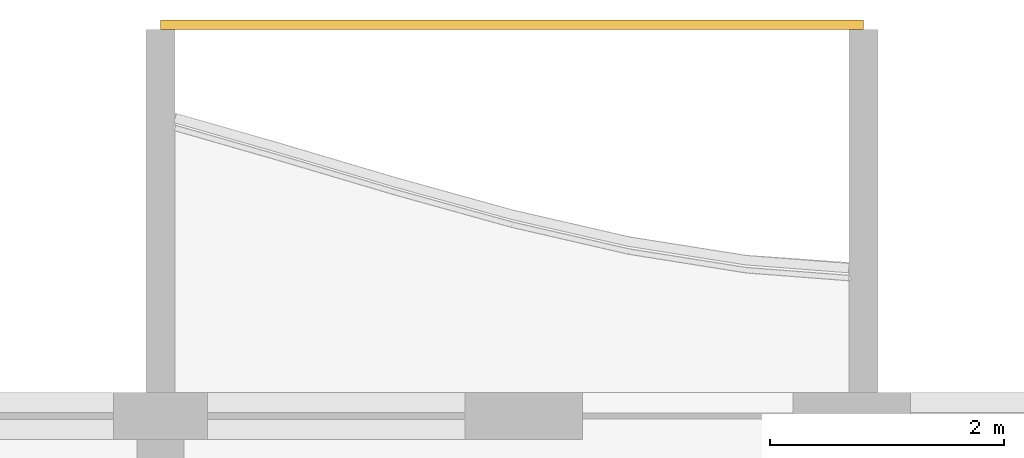
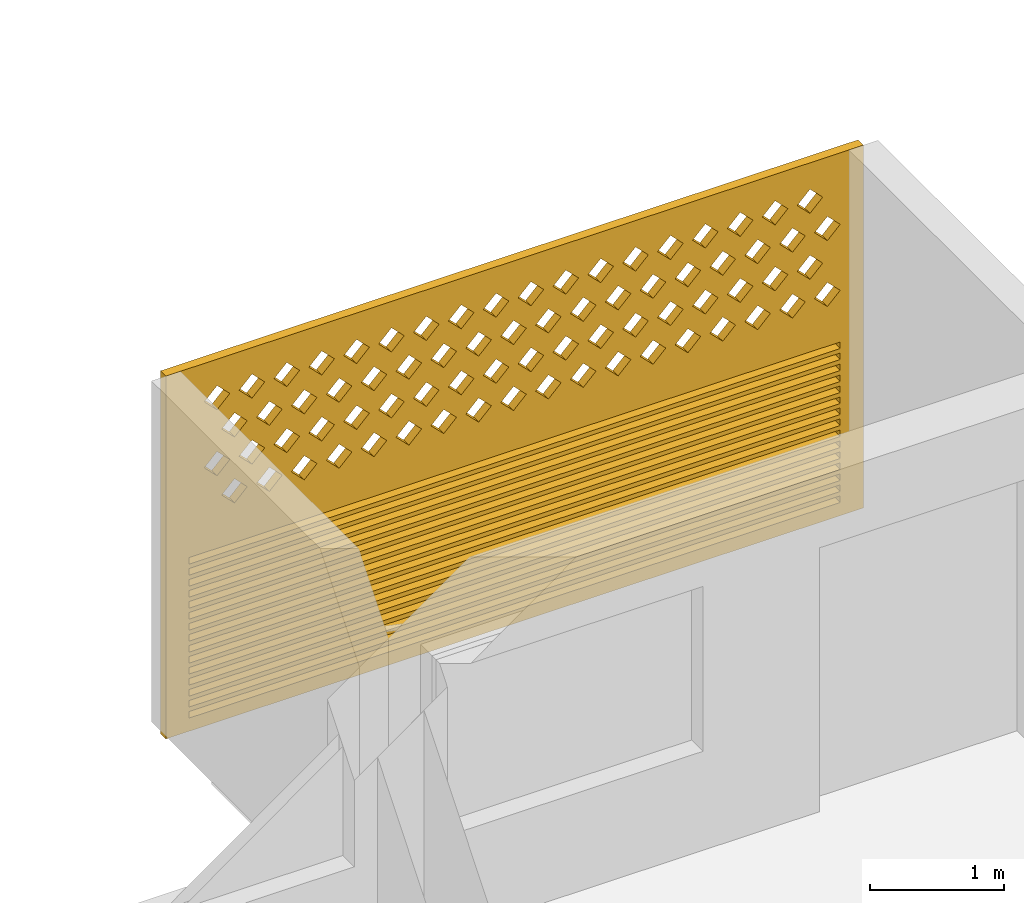
# One storey, part 27 of 40: 1 covering.
"""IFC4 building model written with IfcOpenShell, lengths in metres."""

from ifc_helpers import new_model, si_unit, direction, frame, origin, place, context, subcontext, project, spatial, polyline, outline, extrude, source, transform, mapped, material, material_profile, profile_set, type_object, element, save


model = new_model("IFC4")

# Units and contexts
model_context = context("Model", 3, precision=1e-05, world=origin(), true_north=direction((0.0, 1.0)))
body_context = subcontext(model_context, "Body", "Model", "MODEL_VIEW")
ifc_project = project(units=[si_unit("LENGTHUNIT", "METRE"), si_unit("AREAUNIT", "SQUARE_METRE"), si_unit("VOLUMEUNIT", "CUBIC_METRE"), si_unit("PLANEANGLEUNIT", "RADIAN"), si_unit("MASSUNIT", "GRAM", prefix="KILO")], contexts=[model_context])

# Site, building, storey
site_placement = place(None, origin())
site = spatial("IfcSite", under=ifc_project, at=site_placement, CompositionType="ELEMENT")
building_placement = place(site_placement, origin())
building = spatial("IfcBuilding", under=site, at=building_placement, Name="Poui Terraces", CompositionType="ELEMENT")
storey_placement = place(building_placement, frame((0.0, 0.0, 33.300048828125)))
storey = spatial("IfcBuildingStorey", under=building, at=storey_placement, Name="L08", CompositionType="ELEMENT", Elevation=33.300048828125)

# Covering
ifc_material = material(Name="Terracotta screen", Category="masonry")
ifc_material_profile = material_profile(ifc_material, outline(polyline([(-3.0, -1.64990234375), (3.0, -1.64990234375), (3.0, 1.64990234375), (-3.0, 1.64990234375), (-3.0, -1.64990234375)]), holes=[polyline([(-2.800048828125, 0.39990234375), (-2.68994140625, 0.2900390625), (-2.580078125, 0.39990234375), (-2.68994140625, 0.510009765625), (-2.800048828125, 0.39990234375)]), polyline([(-2.5, 0.39990234375), (-2.389892578125, 0.2900390625), (-2.280029296875, 0.39990234375), (-2.389892578125, 0.510009765625), (-2.5, 0.39990234375)]), polyline([(-2.199951171875, 0.39990234375), (-2.090087890625, 0.2900390625), (-1.97998046875, 0.39990234375), (-2.090087890625, 0.510009765625), (-2.199951171875, 0.39990234375)]), polyline([(-1.89990234375, 0.39990234375), (-1.7900390625, 0.2900390625), (-1.679931640625, 0.39990234375), (-1.7900390625, 0.510009765625), (-1.89990234375, 0.39990234375)]), polyline([(-1.60009765625, 0.39990234375), (-1.489990234375, 0.2900390625), (-1.3798828125, 0.39990234375), (-1.489990234375, 0.510009765625), (-1.60009765625, 0.39990234375)]), polyline([(-1.300048828125, 0.39990234375), (-1.18994140625, 0.2900390625), (-1.080078125, 0.39990234375), (-1.18994140625, 0.510009765625), (-1.300048828125, 0.39990234375)]), polyline([(-1.0, 0.39990234375), (-0.889892578125, 0.2900390625), (-0.780029296875, 0.39990234375), (-0.889892578125, 0.510009765625), (-1.0, 0.39990234375)]), polyline([(-0.699951171875, 0.39990234375), (-0.590087890625, 0.2900390625), (-0.47998046875, 0.39990234375), (-0.590087890625, 0.510009765625), (-0.699951171875, 0.39990234375)]), polyline([(-0.39990234375, 0.39990234375), (-0.2900390625, 0.2900390625), (-0.179931640625, 0.39990234375), (-0.2900390625, 0.510009765625), (-0.39990234375, 0.39990234375)]), polyline([(-0.10009765625, 0.39990234375), (0.010009765625, 0.2900390625), (0.1201171875, 0.39990234375), (0.010009765625, 0.510009765625), (-0.10009765625, 0.39990234375)]), polyline([(0.199951171875, 0.39990234375), (0.31005859375, 0.2900390625), (0.419921875, 0.39990234375), (0.31005859375, 0.510009765625), (0.199951171875, 0.39990234375)]), polyline([(0.5, 0.39990234375), (0.610107421875, 0.2900390625), (0.719970703125, 0.39990234375), (0.610107421875, 0.510009765625), (0.5, 0.39990234375)]), polyline([(0.800048828125, 0.39990234375), (0.909912109375, 0.2900390625), (1.02001953125, 0.39990234375), (0.909912109375, 0.510009765625), (0.800048828125, 0.39990234375)]), polyline([(1.10009765625, 0.39990234375), (1.2099609375, 0.2900390625), (1.320068359375, 0.39990234375), (1.2099609375, 0.510009765625), (1.10009765625, 0.39990234375)]), polyline([(1.39990234375, 0.39990234375), (1.510009765625, 0.2900390625), (1.6201171875, 0.39990234375), (1.510009765625, 0.510009765625), (1.39990234375, 0.39990234375)]), polyline([(1.699951171875, 0.39990234375), (1.81005859375, 0.2900390625), (1.919921875, 0.39990234375), (1.81005859375, 0.510009765625), (1.699951171875, 0.39990234375)]), polyline([(2.0, 0.39990234375), (2.110107421875, 0.2900390625), (2.219970703125, 0.39990234375), (2.110107421875, 0.510009765625), (2.0, 0.39990234375)]), polyline([(2.300048828125, 0.39990234375), (2.409912109375, 0.2900390625), (2.52001953125, 0.39990234375), (2.409912109375, 0.510009765625), (2.300048828125, 0.39990234375)]), polyline([(-2.64990234375, 0.699951171875), (-2.5400390625, 0.590087890625), (-2.429931640625, 0.699951171875), (-2.5400390625, 0.81005859375), (-2.64990234375, 0.699951171875)]), polyline([(-2.35009765625, 0.699951171875), (-2.239990234375, 0.590087890625), (-2.1298828125, 0.699951171875), (-2.239990234375, 0.81005859375), (-2.35009765625, 0.699951171875)]), polyline([(-2.050048828125, 0.699951171875), (-1.93994140625, 0.590087890625), (-1.830078125, 0.699951171875), (-1.93994140625, 0.81005859375), (-2.050048828125, 0.699951171875)]), polyline([(-1.75, 0.699951171875), (-1.639892578125, 0.590087890625), (-1.530029296875, 0.699951171875), (-1.639892578125, 0.81005859375), (-1.75, 0.699951171875)]), polyline([(-1.449951171875, 0.699951171875), (-1.340087890625, 0.590087890625), (-1.22998046875, 0.699951171875), (-1.340087890625, 0.81005859375), (-1.449951171875, 0.699951171875)]), polyline([(-1.14990234375, 0.699951171875), (-1.0400390625, 0.590087890625), (-0.929931640625, 0.699951171875), (-1.0400390625, 0.81005859375), (-1.14990234375, 0.699951171875)]), polyline([(-0.85009765625, 0.699951171875), (-0.739990234375, 0.590087890625), (-0.6298828125, 0.699951171875), (-0.739990234375, 0.81005859375), (-0.85009765625, 0.699951171875)]), polyline([(-0.550048828125, 0.699951171875), (-0.43994140625, 0.590087890625), (-0.330078125, 0.699951171875), (-0.43994140625, 0.81005859375), (-0.550048828125, 0.699951171875)]), polyline([(-0.25, 0.699951171875), (-0.139892578125, 0.590087890625), (-0.030029296875, 0.699951171875), (-0.139892578125, 0.81005859375), (-0.25, 0.699951171875)]), polyline([(0.050048828125, 0.699951171875), (0.159912109375, 0.590087890625), (0.27001953125, 0.699951171875), (0.159912109375, 0.81005859375), (0.050048828125, 0.699951171875)]), polyline([(0.35009765625, 0.699951171875), (0.4599609375, 0.590087890625), (0.570068359375, 0.699951171875), (0.4599609375, 0.81005859375), (0.35009765625, 0.699951171875)]), polyline([(0.64990234375, 0.699951171875), (0.760009765625, 0.590087890625), (0.8701171875, 0.699951171875), (0.760009765625, 0.81005859375), (0.64990234375, 0.699951171875)]), polyline([(0.949951171875, 0.699951171875), (1.06005859375, 0.590087890625), (1.169921875, 0.699951171875), (1.06005859375, 0.81005859375), (0.949951171875, 0.699951171875)]), polyline([(1.25, 0.699951171875), (1.360107421875, 0.590087890625), (1.469970703125, 0.699951171875), (1.360107421875, 0.81005859375), (1.25, 0.699951171875)]), polyline([(1.550048828125, 0.699951171875), (1.659912109375, 0.590087890625), (1.77001953125, 0.699951171875), (1.659912109375, 0.81005859375), (1.550048828125, 0.699951171875)]), polyline([(1.85009765625, 0.699951171875), (1.9599609375, 0.590087890625), (2.070068359375, 0.699951171875), (1.9599609375, 0.81005859375), (1.85009765625, 0.699951171875)]), polyline([(2.14990234375, 0.699951171875), (2.260009765625, 0.590087890625), (2.3701171875, 0.699951171875), (2.260009765625, 0.81005859375), (2.14990234375, 0.699951171875)]), polyline([(2.449951171875, 0.699951171875), (2.56005859375, 0.590087890625), (2.669921875, 0.699951171875), (2.56005859375, 0.81005859375), (2.449951171875, 0.699951171875)]), polyline([(-2.800048828125, 1.0), (-2.68994140625, 0.889892578125), (-2.580078125, 1.0), (-2.68994140625, 1.110107421875), (-2.800048828125, 1.0)]), polyline([(-2.5, 1.0), (-2.389892578125, 0.889892578125), (-2.280029296875, 1.0), (-2.389892578125, 1.110107421875), (-2.5, 1.0)]), polyline([(-2.199951171875, 1.0), (-2.090087890625, 0.889892578125), (-1.97998046875, 1.0), (-2.090087890625, 1.110107421875), (-2.199951171875, 1.0)]), polyline([(-1.89990234375, 1.0), (-1.7900390625, 0.889892578125), (-1.679931640625, 1.0), (-1.7900390625, 1.110107421875), (-1.89990234375, 1.0)]), polyline([(-1.60009765625, 1.0), (-1.489990234375, 0.889892578125), (-1.3798828125, 1.0), (-1.489990234375, 1.110107421875), (-1.60009765625, 1.0)]), polyline([(-1.300048828125, 1.0), (-1.18994140625, 0.889892578125), (-1.080078125, 1.0), (-1.18994140625, 1.110107421875), (-1.300048828125, 1.0)]), polyline([(-1.0, 1.0), (-0.889892578125, 0.889892578125), (-0.780029296875, 1.0), (-0.889892578125, 1.110107421875), (-1.0, 1.0)]), polyline([(-0.699951171875, 1.0), (-0.590087890625, 0.889892578125), (-0.47998046875, 1.0), (-0.590087890625, 1.110107421875), (-0.699951171875, 1.0)]), polyline([(-0.39990234375, 1.0), (-0.2900390625, 0.889892578125), (-0.179931640625, 1.0), (-0.2900390625, 1.110107421875), (-0.39990234375, 1.0)]), polyline([(-0.10009765625, 1.0), (0.010009765625, 0.889892578125), (0.1201171875, 1.0), (0.010009765625, 1.110107421875), (-0.10009765625, 1.0)]), polyline([(0.199951171875, 1.0), (0.31005859375, 0.889892578125), (0.419921875, 1.0), (0.31005859375, 1.110107421875), (0.199951171875, 1.0)]), polyline([(0.5, 1.0), (0.610107421875, 0.889892578125), (0.719970703125, 1.0), (0.610107421875, 1.110107421875), (0.5, 1.0)]), polyline([(0.800048828125, 1.0), (0.909912109375, 0.889892578125), (1.02001953125, 1.0), (0.909912109375, 1.110107421875), (0.800048828125, 1.0)]), polyline([(1.10009765625, 1.0), (1.2099609375, 0.889892578125), (1.320068359375, 1.0), (1.2099609375, 1.110107421875), (1.10009765625, 1.0)]), polyline([(1.39990234375, 1.0), (1.510009765625, 0.889892578125), (1.6201171875, 1.0), (1.510009765625, 1.110107421875), (1.39990234375, 1.0)]), polyline([(1.699951171875, 1.0), (1.81005859375, 0.889892578125), (1.919921875, 1.0), (1.81005859375, 1.110107421875), (1.699951171875, 1.0)]), polyline([(2.0, 1.0), (2.110107421875, 0.889892578125), (2.219970703125, 1.0), (2.110107421875, 1.110107421875), (2.0, 1.0)]), polyline([(2.300048828125, 1.0), (2.409912109375, 0.889892578125), (2.52001953125, 1.0), (2.409912109375, 1.110107421875), (2.300048828125, 1.0)]), polyline([(-2.64990234375, 1.300048828125), (-2.5400390625, 1.18994140625), (-2.429931640625, 1.300048828125), (-2.5400390625, 1.409912109375), (-2.64990234375, 1.300048828125)]), polyline([(-2.35009765625, 1.300048828125), (-2.239990234375, 1.18994140625), (-2.1298828125, 1.300048828125), (-2.239990234375, 1.409912109375), (-2.35009765625, 1.300048828125)]), polyline([(-2.050048828125, 1.300048828125), (-1.93994140625, 1.18994140625), (-1.830078125, 1.300048828125), (-1.93994140625, 1.409912109375), (-2.050048828125, 1.300048828125)]), polyline([(-1.75, 1.300048828125), (-1.639892578125, 1.18994140625), (-1.530029296875, 1.300048828125), (-1.639892578125, 1.409912109375), (-1.75, 1.300048828125)]), polyline([(-1.449951171875, 1.300048828125), (-1.340087890625, 1.18994140625), (-1.22998046875, 1.300048828125), (-1.340087890625, 1.409912109375), (-1.449951171875, 1.300048828125)]), polyline([(-1.14990234375, 1.300048828125), (-1.0400390625, 1.18994140625), (-0.929931640625, 1.300048828125), (-1.0400390625, 1.409912109375), (-1.14990234375, 1.300048828125)]), polyline([(-0.85009765625, 1.300048828125), (-0.739990234375, 1.18994140625), (-0.6298828125, 1.300048828125), (-0.739990234375, 1.409912109375), (-0.85009765625, 1.300048828125)]), polyline([(-0.550048828125, 1.300048828125), (-0.43994140625, 1.18994140625), (-0.330078125, 1.300048828125), (-0.43994140625, 1.409912109375), (-0.550048828125, 1.300048828125)]), polyline([(-0.25, 1.300048828125), (-0.139892578125, 1.18994140625), (-0.030029296875, 1.300048828125), (-0.139892578125, 1.409912109375), (-0.25, 1.300048828125)]), polyline([(0.050048828125, 1.300048828125), (0.159912109375, 1.18994140625), (0.27001953125, 1.300048828125), (0.159912109375, 1.409912109375), (0.050048828125, 1.300048828125)]), polyline([(0.35009765625, 1.300048828125), (0.4599609375, 1.18994140625), (0.570068359375, 1.300048828125), (0.4599609375, 1.409912109375), (0.35009765625, 1.300048828125)]), polyline([(0.64990234375, 1.300048828125), (0.760009765625, 1.18994140625), (0.8701171875, 1.300048828125), (0.760009765625, 1.409912109375), (0.64990234375, 1.300048828125)]), polyline([(0.949951171875, 1.300048828125), (1.06005859375, 1.18994140625), (1.169921875, 1.300048828125), (1.06005859375, 1.409912109375), (0.949951171875, 1.300048828125)]), polyline([(1.25, 1.300048828125), (1.360107421875, 1.18994140625), (1.469970703125, 1.300048828125), (1.360107421875, 1.409912109375), (1.25, 1.300048828125)]), polyline([(1.550048828125, 1.300048828125), (1.659912109375, 1.18994140625), (1.77001953125, 1.300048828125), (1.659912109375, 1.409912109375), (1.550048828125, 1.300048828125)]), polyline([(1.85009765625, 1.300048828125), (1.9599609375, 1.18994140625), (2.070068359375, 1.300048828125), (1.9599609375, 1.409912109375), (1.85009765625, 1.300048828125)]), polyline([(2.14990234375, 1.300048828125), (2.260009765625, 1.18994140625), (2.3701171875, 1.300048828125), (2.260009765625, 1.409912109375), (2.14990234375, 1.300048828125)]), polyline([(2.449951171875, 1.300048828125), (2.56005859375, 1.18994140625), (2.669921875, 1.300048828125), (2.56005859375, 1.409912109375), (2.449951171875, 1.300048828125)]), polyline([(-2.800048828125, -1.530029296875), (2.800048828125, -1.530029296875), (2.800048828125, -1.469970703125), (-2.800048828125, -1.469970703125), (-2.800048828125, -1.530029296875)]), polyline([(-2.800048828125, -1.429931640625), (2.800048828125, -1.429931640625), (2.800048828125, -1.3701171875), (-2.800048828125, -1.3701171875), (-2.800048828125, -1.429931640625)]), polyline([(-2.800048828125, -1.330078125), (2.800048828125, -1.330078125), (2.800048828125, -1.27001953125), (-2.800048828125, -1.27001953125), (-2.800048828125, -1.330078125)]), polyline([(-2.800048828125, -1.22998046875), (2.800048828125, -1.22998046875), (2.800048828125, -1.169921875), (-2.800048828125, -1.169921875), (-2.800048828125, -1.22998046875)]), polyline([(-2.800048828125, -1.1298828125), (2.800048828125, -1.1298828125), (2.800048828125, -1.070068359375), (-2.800048828125, -1.070068359375), (-2.800048828125, -1.1298828125)]), polyline([(-2.800048828125, -1.030029296875), (2.800048828125, -1.030029296875), (2.800048828125, -0.969970703125), (-2.800048828125, -0.969970703125), (-2.800048828125, -1.030029296875)]), polyline([(-2.800048828125, -0.929931640625), (2.800048828125, -0.929931640625), (2.800048828125, -0.8701171875), (-2.800048828125, -0.8701171875), (-2.800048828125, -0.929931640625)]), polyline([(-2.800048828125, -0.830078125), (2.800048828125, -0.830078125), (2.800048828125, -0.77001953125), (-2.800048828125, -0.77001953125), (-2.800048828125, -0.830078125)]), polyline([(-2.800048828125, -0.72998046875), (2.800048828125, -0.72998046875), (2.800048828125, -0.669921875), (-2.800048828125, -0.669921875), (-2.800048828125, -0.72998046875)]), polyline([(-2.800048828125, -0.6298828125), (2.800048828125, -0.6298828125), (2.800048828125, -0.570068359375), (-2.800048828125, -0.570068359375), (-2.800048828125, -0.6298828125)]), polyline([(-2.800048828125, -0.530029296875), (2.800048828125, -0.530029296875), (2.800048828125, -0.469970703125), (-2.800048828125, -0.469970703125), (-2.800048828125, -0.530029296875)]), polyline([(-2.800048828125, -0.429931640625), (2.800048828125, -0.429931640625), (2.800048828125, -0.3701171875), (-2.800048828125, -0.3701171875), (-2.800048828125, -0.429931640625)]), polyline([(-2.800048828125, -0.330078125), (2.800048828125, -0.330078125), (2.800048828125, -0.27001953125), (-2.800048828125, -0.27001953125), (-2.800048828125, -0.330078125)]), polyline([(-2.800048828125, -0.22998046875), (2.800048828125, -0.22998046875), (2.800048828125, -0.169921875), (-2.800048828125, -0.169921875), (-2.800048828125, -0.22998046875)]), polyline([(-2.800048828125, -0.1298828125), (2.800048828125, -0.1298828125), (2.800048828125, -0.070068359375), (-2.800048828125, -0.070068359375), (-2.800048828125, -0.1298828125)])]), Name="TERRACOTTA SCREEN AND JALOUSIE LOUVRE 6000X3300")
ifc_profile_set = profile_set([ifc_material_profile], Name="Terracotta screen")
covering_type = type_object("IfcCoveringType", Name="TERRACOTTA SCREEN AND JALOUSIE LOUVRE 6000X3300", PredefinedType="CLADDING", material=ifc_profile_set)
shared_shape = source(origin(), body_context, "Body", "SweptSolid", [
    extrude(outline(polyline([(-3.0, -1.64990234375), (3.0, -1.64990234375), (3.0, 1.64990234375), (-3.0, 1.64990234375), (-3.0, -1.64990234375)]), holes=[polyline([(-2.800048828125, 0.39990234375), (-2.68994140625, 0.2900390625), (-2.580078125, 0.39990234375), (-2.68994140625, 0.510009765625), (-2.800048828125, 0.39990234375)]), polyline([(-2.5, 0.39990234375), (-2.389892578125, 0.2900390625), (-2.280029296875, 0.39990234375), (-2.389892578125, 0.510009765625), (-2.5, 0.39990234375)]), polyline([(-2.199951171875, 0.39990234375), (-2.090087890625, 0.2900390625), (-1.97998046875, 0.39990234375), (-2.090087890625, 0.510009765625), (-2.199951171875, 0.39990234375)]), polyline([(-1.89990234375, 0.39990234375), (-1.7900390625, 0.2900390625), (-1.679931640625, 0.39990234375), (-1.7900390625, 0.510009765625), (-1.89990234375, 0.39990234375)]), polyline([(-1.60009765625, 0.39990234375), (-1.489990234375, 0.2900390625), (-1.3798828125, 0.39990234375), (-1.489990234375, 0.510009765625), (-1.60009765625, 0.39990234375)]), polyline([(-1.300048828125, 0.39990234375), (-1.18994140625, 0.2900390625), (-1.080078125, 0.39990234375), (-1.18994140625, 0.510009765625), (-1.300048828125, 0.39990234375)]), polyline([(-1.0, 0.39990234375), (-0.889892578125, 0.2900390625), (-0.780029296875, 0.39990234375), (-0.889892578125, 0.510009765625), (-1.0, 0.39990234375)]), polyline([(-0.699951171875, 0.39990234375), (-0.590087890625, 0.2900390625), (-0.47998046875, 0.39990234375), (-0.590087890625, 0.510009765625), (-0.699951171875, 0.39990234375)]), polyline([(-0.39990234375, 0.39990234375), (-0.2900390625, 0.2900390625), (-0.179931640625, 0.39990234375), (-0.2900390625, 0.510009765625), (-0.39990234375, 0.39990234375)]), polyline([(-0.10009765625, 0.39990234375), (0.010009765625, 0.2900390625), (0.1201171875, 0.39990234375), (0.010009765625, 0.510009765625), (-0.10009765625, 0.39990234375)]), polyline([(0.199951171875, 0.39990234375), (0.31005859375, 0.2900390625), (0.419921875, 0.39990234375), (0.31005859375, 0.510009765625), (0.199951171875, 0.39990234375)]), polyline([(0.5, 0.39990234375), (0.610107421875, 0.2900390625), (0.719970703125, 0.39990234375), (0.610107421875, 0.510009765625), (0.5, 0.39990234375)]), polyline([(0.800048828125, 0.39990234375), (0.909912109375, 0.2900390625), (1.02001953125, 0.39990234375), (0.909912109375, 0.510009765625), (0.800048828125, 0.39990234375)]), polyline([(1.10009765625, 0.39990234375), (1.2099609375, 0.2900390625), (1.320068359375, 0.39990234375), (1.2099609375, 0.510009765625), (1.10009765625, 0.39990234375)]), polyline([(1.39990234375, 0.39990234375), (1.510009765625, 0.2900390625), (1.6201171875, 0.39990234375), (1.510009765625, 0.510009765625), (1.39990234375, 0.39990234375)]), polyline([(1.699951171875, 0.39990234375), (1.81005859375, 0.2900390625), (1.919921875, 0.39990234375), (1.81005859375, 0.510009765625), (1.699951171875, 0.39990234375)]), polyline([(2.0, 0.39990234375), (2.110107421875, 0.2900390625), (2.219970703125, 0.39990234375), (2.110107421875, 0.510009765625), (2.0, 0.39990234375)]), polyline([(2.300048828125, 0.39990234375), (2.409912109375, 0.2900390625), (2.52001953125, 0.39990234375), (2.409912109375, 0.510009765625), (2.300048828125, 0.39990234375)]), polyline([(-2.64990234375, 0.699951171875), (-2.5400390625, 0.590087890625), (-2.429931640625, 0.699951171875), (-2.5400390625, 0.81005859375), (-2.64990234375, 0.699951171875)]), polyline([(-2.35009765625, 0.699951171875), (-2.239990234375, 0.590087890625), (-2.1298828125, 0.699951171875), (-2.239990234375, 0.81005859375), (-2.35009765625, 0.699951171875)]), polyline([(-2.050048828125, 0.699951171875), (-1.93994140625, 0.590087890625), (-1.830078125, 0.699951171875), (-1.93994140625, 0.81005859375), (-2.050048828125, 0.699951171875)]), polyline([(-1.75, 0.699951171875), (-1.639892578125, 0.590087890625), (-1.530029296875, 0.699951171875), (-1.639892578125, 0.81005859375), (-1.75, 0.699951171875)]), polyline([(-1.449951171875, 0.699951171875), (-1.340087890625, 0.590087890625), (-1.22998046875, 0.699951171875), (-1.340087890625, 0.81005859375), (-1.449951171875, 0.699951171875)]), polyline([(-1.14990234375, 0.699951171875), (-1.0400390625, 0.590087890625), (-0.929931640625, 0.699951171875), (-1.0400390625, 0.81005859375), (-1.14990234375, 0.699951171875)]), polyline([(-0.85009765625, 0.699951171875), (-0.739990234375, 0.590087890625), (-0.6298828125, 0.699951171875), (-0.739990234375, 0.81005859375), (-0.85009765625, 0.699951171875)]), polyline([(-0.550048828125, 0.699951171875), (-0.43994140625, 0.590087890625), (-0.330078125, 0.699951171875), (-0.43994140625, 0.81005859375), (-0.550048828125, 0.699951171875)]), polyline([(-0.25, 0.699951171875), (-0.139892578125, 0.590087890625), (-0.030029296875, 0.699951171875), (-0.139892578125, 0.81005859375), (-0.25, 0.699951171875)]), polyline([(0.050048828125, 0.699951171875), (0.159912109375, 0.590087890625), (0.27001953125, 0.699951171875), (0.159912109375, 0.81005859375), (0.050048828125, 0.699951171875)]), polyline([(0.35009765625, 0.699951171875), (0.4599609375, 0.590087890625), (0.570068359375, 0.699951171875), (0.4599609375, 0.81005859375), (0.35009765625, 0.699951171875)]), polyline([(0.64990234375, 0.699951171875), (0.760009765625, 0.590087890625), (0.8701171875, 0.699951171875), (0.760009765625, 0.81005859375), (0.64990234375, 0.699951171875)]), polyline([(0.949951171875, 0.699951171875), (1.06005859375, 0.590087890625), (1.169921875, 0.699951171875), (1.06005859375, 0.81005859375), (0.949951171875, 0.699951171875)]), polyline([(1.25, 0.699951171875), (1.360107421875, 0.590087890625), (1.469970703125, 0.699951171875), (1.360107421875, 0.81005859375), (1.25, 0.699951171875)]), polyline([(1.550048828125, 0.699951171875), (1.659912109375, 0.590087890625), (1.77001953125, 0.699951171875), (1.659912109375, 0.81005859375), (1.550048828125, 0.699951171875)]), polyline([(1.85009765625, 0.699951171875), (1.9599609375, 0.590087890625), (2.070068359375, 0.699951171875), (1.9599609375, 0.81005859375), (1.85009765625, 0.699951171875)]), polyline([(2.14990234375, 0.699951171875), (2.260009765625, 0.590087890625), (2.3701171875, 0.699951171875), (2.260009765625, 0.81005859375), (2.14990234375, 0.699951171875)]), polyline([(2.449951171875, 0.699951171875), (2.56005859375, 0.590087890625), (2.669921875, 0.699951171875), (2.56005859375, 0.81005859375), (2.449951171875, 0.699951171875)]), polyline([(-2.800048828125, 1.0), (-2.68994140625, 0.889892578125), (-2.580078125, 1.0), (-2.68994140625, 1.110107421875), (-2.800048828125, 1.0)]), polyline([(-2.5, 1.0), (-2.389892578125, 0.889892578125), (-2.280029296875, 1.0), (-2.389892578125, 1.110107421875), (-2.5, 1.0)]), polyline([(-2.199951171875, 1.0), (-2.090087890625, 0.889892578125), (-1.97998046875, 1.0), (-2.090087890625, 1.110107421875), (-2.199951171875, 1.0)]), polyline([(-1.89990234375, 1.0), (-1.7900390625, 0.889892578125), (-1.679931640625, 1.0), (-1.7900390625, 1.110107421875), (-1.89990234375, 1.0)]), polyline([(-1.60009765625, 1.0), (-1.489990234375, 0.889892578125), (-1.3798828125, 1.0), (-1.489990234375, 1.110107421875), (-1.60009765625, 1.0)]), polyline([(-1.300048828125, 1.0), (-1.18994140625, 0.889892578125), (-1.080078125, 1.0), (-1.18994140625, 1.110107421875), (-1.300048828125, 1.0)]), polyline([(-1.0, 1.0), (-0.889892578125, 0.889892578125), (-0.780029296875, 1.0), (-0.889892578125, 1.110107421875), (-1.0, 1.0)]), polyline([(-0.699951171875, 1.0), (-0.590087890625, 0.889892578125), (-0.47998046875, 1.0), (-0.590087890625, 1.110107421875), (-0.699951171875, 1.0)]), polyline([(-0.39990234375, 1.0), (-0.2900390625, 0.889892578125), (-0.179931640625, 1.0), (-0.2900390625, 1.110107421875), (-0.39990234375, 1.0)]), polyline([(-0.10009765625, 1.0), (0.010009765625, 0.889892578125), (0.1201171875, 1.0), (0.010009765625, 1.110107421875), (-0.10009765625, 1.0)]), polyline([(0.199951171875, 1.0), (0.31005859375, 0.889892578125), (0.419921875, 1.0), (0.31005859375, 1.110107421875), (0.199951171875, 1.0)]), polyline([(0.5, 1.0), (0.610107421875, 0.889892578125), (0.719970703125, 1.0), (0.610107421875, 1.110107421875), (0.5, 1.0)]), polyline([(0.800048828125, 1.0), (0.909912109375, 0.889892578125), (1.02001953125, 1.0), (0.909912109375, 1.110107421875), (0.800048828125, 1.0)]), polyline([(1.10009765625, 1.0), (1.2099609375, 0.889892578125), (1.320068359375, 1.0), (1.2099609375, 1.110107421875), (1.10009765625, 1.0)]), polyline([(1.39990234375, 1.0), (1.510009765625, 0.889892578125), (1.6201171875, 1.0), (1.510009765625, 1.110107421875), (1.39990234375, 1.0)]), polyline([(1.699951171875, 1.0), (1.81005859375, 0.889892578125), (1.919921875, 1.0), (1.81005859375, 1.110107421875), (1.699951171875, 1.0)]), polyline([(2.0, 1.0), (2.110107421875, 0.889892578125), (2.219970703125, 1.0), (2.110107421875, 1.110107421875), (2.0, 1.0)]), polyline([(2.300048828125, 1.0), (2.409912109375, 0.889892578125), (2.52001953125, 1.0), (2.409912109375, 1.110107421875), (2.300048828125, 1.0)]), polyline([(-2.64990234375, 1.300048828125), (-2.5400390625, 1.18994140625), (-2.429931640625, 1.300048828125), (-2.5400390625, 1.409912109375), (-2.64990234375, 1.300048828125)]), polyline([(-2.35009765625, 1.300048828125), (-2.239990234375, 1.18994140625), (-2.1298828125, 1.300048828125), (-2.239990234375, 1.409912109375), (-2.35009765625, 1.300048828125)]), polyline([(-2.050048828125, 1.300048828125), (-1.93994140625, 1.18994140625), (-1.830078125, 1.300048828125), (-1.93994140625, 1.409912109375), (-2.050048828125, 1.300048828125)]), polyline([(-1.75, 1.300048828125), (-1.639892578125, 1.18994140625), (-1.530029296875, 1.300048828125), (-1.639892578125, 1.409912109375), (-1.75, 1.300048828125)]), polyline([(-1.449951171875, 1.300048828125), (-1.340087890625, 1.18994140625), (-1.22998046875, 1.300048828125), (-1.340087890625, 1.409912109375), (-1.449951171875, 1.300048828125)]), polyline([(-1.14990234375, 1.300048828125), (-1.0400390625, 1.18994140625), (-0.929931640625, 1.300048828125), (-1.0400390625, 1.409912109375), (-1.14990234375, 1.300048828125)]), polyline([(-0.85009765625, 1.300048828125), (-0.739990234375, 1.18994140625), (-0.6298828125, 1.300048828125), (-0.739990234375, 1.409912109375), (-0.85009765625, 1.300048828125)]), polyline([(-0.550048828125, 1.300048828125), (-0.43994140625, 1.18994140625), (-0.330078125, 1.300048828125), (-0.43994140625, 1.409912109375), (-0.550048828125, 1.300048828125)]), polyline([(-0.25, 1.300048828125), (-0.139892578125, 1.18994140625), (-0.030029296875, 1.300048828125), (-0.139892578125, 1.409912109375), (-0.25, 1.300048828125)]), polyline([(0.050048828125, 1.300048828125), (0.159912109375, 1.18994140625), (0.27001953125, 1.300048828125), (0.159912109375, 1.409912109375), (0.050048828125, 1.300048828125)]), polyline([(0.35009765625, 1.300048828125), (0.4599609375, 1.18994140625), (0.570068359375, 1.300048828125), (0.4599609375, 1.409912109375), (0.35009765625, 1.300048828125)]), polyline([(0.64990234375, 1.300048828125), (0.760009765625, 1.18994140625), (0.8701171875, 1.300048828125), (0.760009765625, 1.409912109375), (0.64990234375, 1.300048828125)]), polyline([(0.949951171875, 1.300048828125), (1.06005859375, 1.18994140625), (1.169921875, 1.300048828125), (1.06005859375, 1.409912109375), (0.949951171875, 1.300048828125)]), polyline([(1.25, 1.300048828125), (1.360107421875, 1.18994140625), (1.469970703125, 1.300048828125), (1.360107421875, 1.409912109375), (1.25, 1.300048828125)]), polyline([(1.550048828125, 1.300048828125), (1.659912109375, 1.18994140625), (1.77001953125, 1.300048828125), (1.659912109375, 1.409912109375), (1.550048828125, 1.300048828125)]), polyline([(1.85009765625, 1.300048828125), (1.9599609375, 1.18994140625), (2.070068359375, 1.300048828125), (1.9599609375, 1.409912109375), (1.85009765625, 1.300048828125)]), polyline([(2.14990234375, 1.300048828125), (2.260009765625, 1.18994140625), (2.3701171875, 1.300048828125), (2.260009765625, 1.409912109375), (2.14990234375, 1.300048828125)]), polyline([(2.449951171875, 1.300048828125), (2.56005859375, 1.18994140625), (2.669921875, 1.300048828125), (2.56005859375, 1.409912109375), (2.449951171875, 1.300048828125)]), polyline([(-2.800048828125, -1.530029296875), (2.800048828125, -1.530029296875), (2.800048828125, -1.469970703125), (-2.800048828125, -1.469970703125), (-2.800048828125, -1.530029296875)]), polyline([(-2.800048828125, -1.429931640625), (2.800048828125, -1.429931640625), (2.800048828125, -1.3701171875), (-2.800048828125, -1.3701171875), (-2.800048828125, -1.429931640625)]), polyline([(-2.800048828125, -1.330078125), (2.800048828125, -1.330078125), (2.800048828125, -1.27001953125), (-2.800048828125, -1.27001953125), (-2.800048828125, -1.330078125)]), polyline([(-2.800048828125, -1.22998046875), (2.800048828125, -1.22998046875), (2.800048828125, -1.169921875), (-2.800048828125, -1.169921875), (-2.800048828125, -1.22998046875)]), polyline([(-2.800048828125, -1.1298828125), (2.800048828125, -1.1298828125), (2.800048828125, -1.070068359375), (-2.800048828125, -1.070068359375), (-2.800048828125, -1.1298828125)]), polyline([(-2.800048828125, -1.030029296875), (2.800048828125, -1.030029296875), (2.800048828125, -0.969970703125), (-2.800048828125, -0.969970703125), (-2.800048828125, -1.030029296875)]), polyline([(-2.800048828125, -0.929931640625), (2.800048828125, -0.929931640625), (2.800048828125, -0.8701171875), (-2.800048828125, -0.8701171875), (-2.800048828125, -0.929931640625)]), polyline([(-2.800048828125, -0.830078125), (2.800048828125, -0.830078125), (2.800048828125, -0.77001953125), (-2.800048828125, -0.77001953125), (-2.800048828125, -0.830078125)]), polyline([(-2.800048828125, -0.72998046875), (2.800048828125, -0.72998046875), (2.800048828125, -0.669921875), (-2.800048828125, -0.669921875), (-2.800048828125, -0.72998046875)]), polyline([(-2.800048828125, -0.6298828125), (2.800048828125, -0.6298828125), (2.800048828125, -0.570068359375), (-2.800048828125, -0.570068359375), (-2.800048828125, -0.6298828125)]), polyline([(-2.800048828125, -0.530029296875), (2.800048828125, -0.530029296875), (2.800048828125, -0.469970703125), (-2.800048828125, -0.469970703125), (-2.800048828125, -0.530029296875)]), polyline([(-2.800048828125, -0.429931640625), (2.800048828125, -0.429931640625), (2.800048828125, -0.3701171875), (-2.800048828125, -0.3701171875), (-2.800048828125, -0.429931640625)]), polyline([(-2.800048828125, -0.330078125), (2.800048828125, -0.330078125), (2.800048828125, -0.27001953125), (-2.800048828125, -0.27001953125), (-2.800048828125, -0.330078125)]), polyline([(-2.800048828125, -0.22998046875), (2.800048828125, -0.22998046875), (2.800048828125, -0.169921875), (-2.800048828125, -0.169921875), (-2.800048828125, -0.22998046875)]), polyline([(-2.800048828125, -0.1298828125), (2.800048828125, -0.1298828125), (2.800048828125, -0.070068359375), (-2.800048828125, -0.070068359375), (-2.800048828125, -0.1298828125)])]), origin(), (0.0, 0.0, 1.0), 0.079833984375),
])
covering_placement = place(storey_placement, frame((39.0, 48.10009765625, 1.449951171875), z_axis=(0.0, 1.0, 0.0), x_axis=(-1.0, 0.0, 0.0)))
element("IfcCovering", 1, at=covering_placement, inside=storey, type_object=covering_type, Name="SOLAR SCREEN AND JALOUSIE LOUVRE", PredefinedType="CLADDING", context=body_context, shape_type="MappedRepresentation", body=[
    mapped(shared_shape, transform((0.0, 0.0, 0.0))),
])

save(model, "model.ifc")
